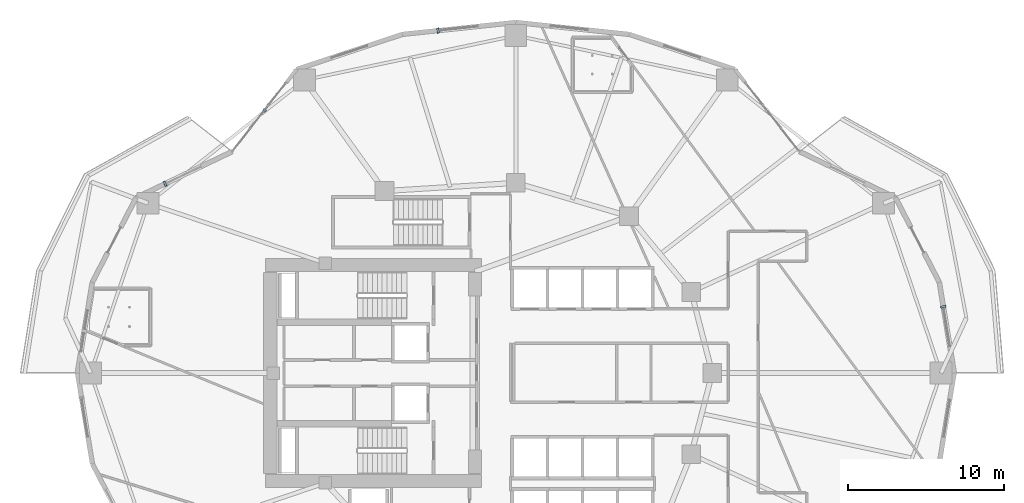
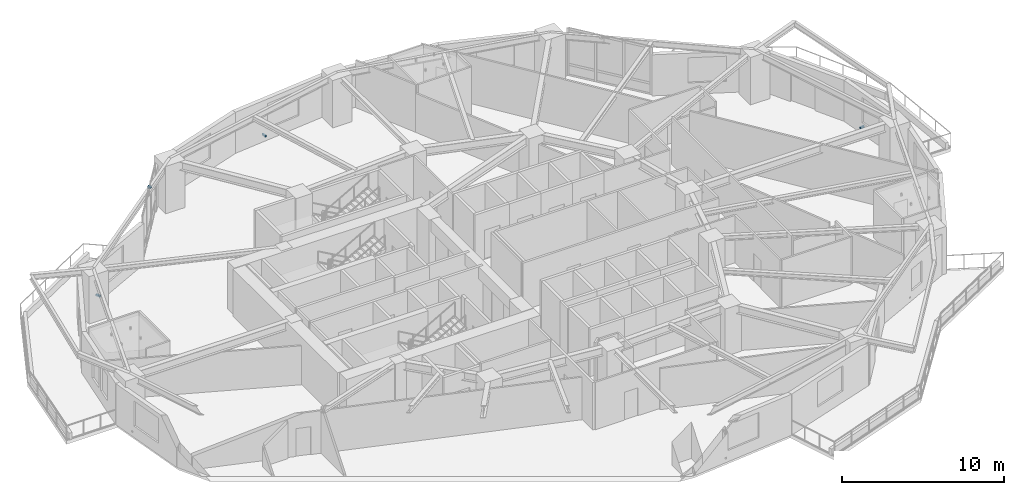
# One storey, part 12 of 18: 4 discrete accessories.
"""IFC4 building model written with IfcOpenShell, lengths in metres."""

from ifc_helpers import new_model, si_unit, direction, frame, origin, origin_2d, place, context, subcontext, project, spatial, rectangle, extrude, material, type_object, element, save


model = new_model("IFC4")

# Units and contexts
model_context = context("Model", 3, precision=1e-05, world=origin(), true_north=direction((0.0, 1.0)))
body_context = subcontext(model_context, "Body", "Model", "MODEL_VIEW")
ifc_project = project(units=[si_unit("LENGTHUNIT", "METRE"), si_unit("AREAUNIT", "SQUARE_METRE"), si_unit("VOLUMEUNIT", "CUBIC_METRE"), si_unit("PLANEANGLEUNIT", "RADIAN"), si_unit("MASSUNIT", "GRAM", prefix="KILO")], contexts=[model_context])

# Site, building, storey
site_placement = place(None, origin())
site = spatial("IfcSite", under=ifc_project, at=site_placement, CompositionType="ELEMENT")
building_placement = place(site_placement, origin())
building = spatial("IfcBuilding", under=site, at=building_placement, Name="Kolvaren Gate Tower and Convention Centre", CompositionType="ELEMENT")
storey_placement = place(building_placement, frame((0.0, 0.0, 30.35009765625)))
storey = spatial("IfcBuildingStorey", under=building, at=storey_placement, Name="L06", CompositionType="ELEMENT", Elevation=30.35009765625)

# Discrete accessories
ifc_material = material(Name="Anodized Architectural Aluminium Alloy 6063-T6", Category="aluminium")
discrete_accessory_type = type_object("IfcDiscreteAccessoryType", Name="ARCH-ACC-BRACKET-120", PredefinedType="BRACKET", material=ifc_material)
for number, where, z_axis, x_axis, name in (
    (1, (57.550048828125, 31.25341796875, 0.289794921875), (0.0, 0.0, 1.0), (0.162377123682, -0.986728772108, 0.0), "Ceramic Fin Wall Anchor Bracket FBK-L06-00"),
    (2, (25.133056640625, 48.97412109375, 0.289794921875), (0.0, 0.0, 1.0), (0.994498884311, 0.104747167526, 0.0), "Ceramic Fin Wall Anchor Bracket FBK-L06-06"),
):
    element("IfcDiscreteAccessory", number, at=place(storey_placement, frame(where, z_axis=z_axis, x_axis=x_axis)), inside=storey, type_object=discrete_accessory_type, Name=name, PredefinedType="BRACKET", context=body_context, shape_type="SweptSolid", body=[
        extrude(rectangle(XDim=0.1201171875, YDim=0.320068359375, at=origin_2d()), origin(), (0.0, 0.0, 1.0), 0.1201171875),
    ])
discrete_accessory_1_placement = place(storey_placement, frame((13.99853515625, 43.84912109375, 3.389892578125), z_axis=(0.0, 0.0, 1.0), x_axis=(0.616424499081, 0.787414018756, 0.0)))
element("IfcDiscreteAccessory", 3, at=discrete_accessory_1_placement, inside=storey, type_object=discrete_accessory_type, Name="Solar Screen Spandrel Anchor Bracket BK-L06-08", PredefinedType="BRACKET", context=body_context, shape_type="SweptSolid", body=[
    extrude(rectangle(XDim=0.179931640625, YDim=0.219970703125, at=origin_2d()), origin(), (0.0, 0.0, 1.0), 0.1201171875),
])
discrete_accessory_2_placement = place(storey_placement, frame((7.625732421875, 39.142578125, 0.289794921875), z_axis=(0.0, 0.0, 1.0), x_axis=(0.90136443672, 0.433061372343, 0.0)))
element("IfcDiscreteAccessory", 4, at=discrete_accessory_2_placement, inside=storey, type_object=discrete_accessory_type, Name="Ceramic Fin Wall Anchor Bracket FBK-L06-09", PredefinedType="BRACKET", context=body_context, shape_type="SweptSolid", body=[
    extrude(rectangle(XDim=0.1201171875, YDim=0.320068359375, at=origin_2d()), origin(), (0.0, 0.0, 1.0), 0.1201171875),
])

save(model, "model.ifc")
